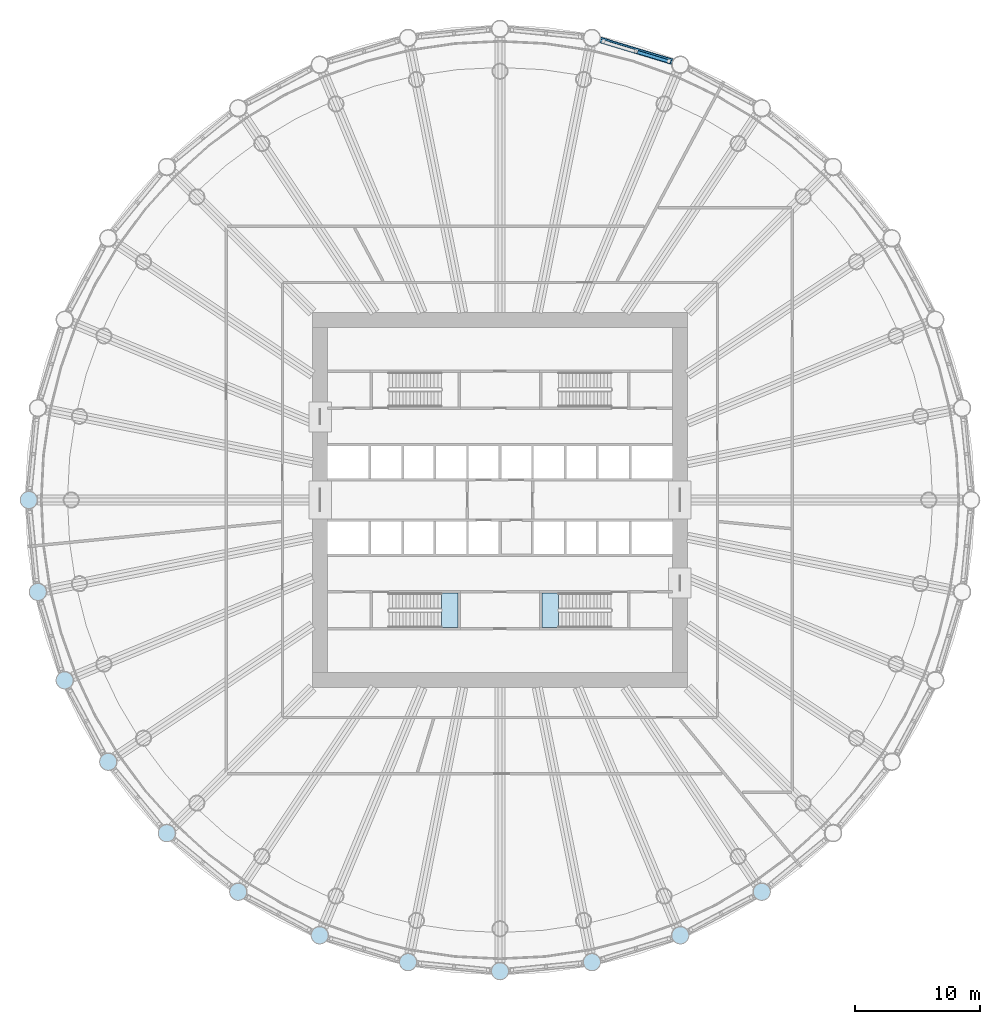
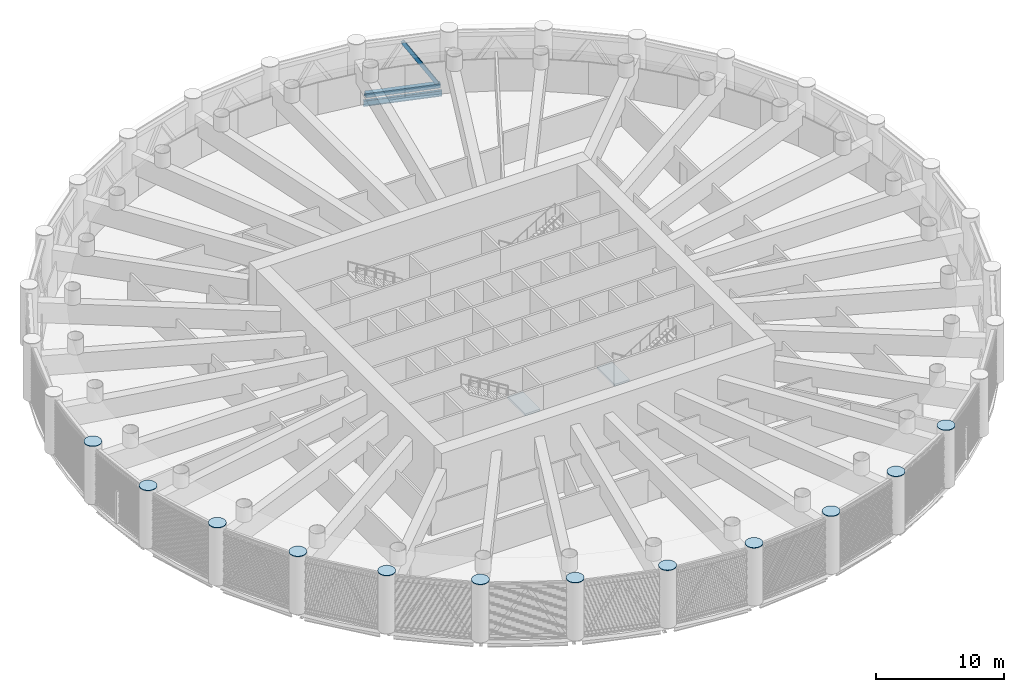
# One storey, part 5 of 26: 12 plates, 3 members, 2 slabs, 1 beam, 3 elements without a shape of their own.
"""IFC4 building model written with IfcOpenShell, lengths in metres."""

import ifcopenshell
import ifcopenshell.guid

model = None  # the IFC model being written
_history = None  # IfcOwnerHistory: only IFC2X3 demands one
_inside = {}  # id of a spatial element -> (the spatial element, [elements in it])
_under = {}  # id of a project, library or spatial element -> (it, [spatial elements below it])
_declared = {}  # id of a project -> (the project, [libraries it declares])
_typed = {}  # id of a type object -> (the type object, [elements of that type])
_made_of = {}  # id of a material, layer set ... -> (it, [elements and type objects made of it])


def new_model(schema):
    """Start an empty IFC model of exactly this schema.

    Asked for "IFC4X3", IfcOpenShell would pick the latest addendum, in which some entities
    have other attributes; the version numbers below select the first issue.
    IFC2X3 requires an IfcOwnerHistory on every rooted entity: one is made here for all.
    """
    global model, _history
    if schema == "IFC4X3":
        model = ifcopenshell.file(schema_version=(4, 3, 0, 0))
    else:
        model = ifcopenshell.file(schema=schema)
    _inside.clear()
    _under.clear()
    _declared.clear()
    _typed.clear()
    _made_of.clear()
    _history = None
    if model.schema == "IFC2X3":
        org = make("IfcOrganization", Name="unknown")
        user = make(
            "IfcPersonAndOrganization",
            ThePerson=make("IfcPerson", FamilyName="unknown"),
            TheOrganization=org,
        )
        app = make(
            "IfcApplication",
            ApplicationDeveloper=org,
            Version="unknown",
            ApplicationFullName="unknown",
            ApplicationIdentifier="unknown",
        )
        _history = make(
            "IfcOwnerHistory",
            OwningUser=user,
            OwningApplication=app,
            ChangeAction="ADDED",
            CreationDate=0,
        )
    return model


def make(cls, **values):
    """One entity of the class cls with the attributes given. An attribute that is None is left unset."""
    return model.create_entity(
        cls, **{name: value for name, value in values.items() if value is not None}
    )


def rooted(cls, **values):
    """An entity with a GlobalId (a new one), such as an element, a storey or a relation."""
    return make(cls, GlobalId=ifcopenshell.guid.new(), OwnerHistory=_history, **values)


def si_unit(unit_type, name, prefix=None):
    """IfcSIUnit, for example si_unit("LENGTHUNIT", "METRE", prefix="MILLI")."""
    return make("IfcSIUnit", UnitType=unit_type, Prefix=prefix, Name=name)


def assignment(units):
    """IfcUnitAssignment: the units of a project."""
    return None if units is None else make("IfcUnitAssignment", Units=units)


def point(xyz):
    """IfcCartesianPoint."""
    return None if xyz is None else make("IfcCartesianPoint", Coordinates=xyz)


def direction(xyz):
    """IfcDirection."""
    return None if xyz is None else make("IfcDirection", DirectionRatios=xyz)


def frame(location, z_axis=None, x_axis=None):
    """IfcAxis2Placement3D, a coordinate frame: its origin and axes. An axis left out is left unset."""
    return make(
        "IfcAxis2Placement3D",
        Location=point(location),
        Axis=direction(z_axis),
        RefDirection=direction(x_axis),
    )


def frame_2d(location, x_axis=None):
    """IfcAxis2Placement2D, a coordinate frame in the plane: its origin and x axis."""
    return make(
        "IfcAxis2Placement2D", Location=point(location), RefDirection=direction(x_axis)
    )


def origin():
    """The frame at (0, 0, 0) with its axes left unset."""
    return frame((0.0, 0.0, 0.0))


def origin_2d():
    """The frame at (0, 0) in the plane with its x axis left unset."""
    return frame_2d((0.0, 0.0))


def place(relative_to, where):
    """IfcLocalPlacement: puts the frame where relative to a parent placement (None: the world)."""
    return make(
        "IfcLocalPlacement", PlacementRelTo=relative_to, RelativePlacement=where
    )


def context(
    kind, dimensions, precision=None, world=None, true_north=None, identifier=None
):
    """IfcGeometricRepresentationContext, for example the 3D "Model" context."""
    return make(
        "IfcGeometricRepresentationContext",
        ContextIdentifier=identifier,
        ContextType=kind,
        CoordinateSpaceDimension=dimensions,
        Precision=precision,
        WorldCoordinateSystem=world,
        TrueNorth=true_north,
    )


def subcontext(parent, identifier, kind, view, scale=None):
    """IfcGeometricRepresentationSubContext, for example "Body" below "Model"."""
    return make(
        "IfcGeometricRepresentationSubContext",
        ContextIdentifier=identifier,
        ContextType=kind,
        ParentContext=parent,
        TargetScale=scale,
        TargetView=view,
    )


def project(units=None, contexts=None):
    """IfcProject with its units and contexts."""
    return rooted(
        "IfcProject",
        Name="project",
        RepresentationContexts=contexts,
        UnitsInContext=assignment(units),
    )


def spatial(cls, under=None, at=None, **own):
    """A site, building, storey or space (cls), placed at a placement, below another one or the project."""
    s = rooted(cls, ObjectPlacement=at, **own)
    if under is not None:
        _under.setdefault(under.id(), (under, []))[1].append(s)
    return s


def polyline(points):
    """IfcPolyline through the points."""
    return make("IfcPolyline", Points=[point(p) for p in points])


def profile(cls, at=None, kind="AREA", **sizes):
    """A parametric profile (cls). Its sizes go by their IFC names, for example OverallWidth=200.0."""
    return make(cls, ProfileType=kind, Position=at, **sizes)


def rectangle(**sizes):
    """IfcRectangleProfileDef."""
    return profile("IfcRectangleProfileDef", **sizes)


def hollow_rectangle(**sizes):
    """IfcRectangleHollowProfileDef."""
    return profile("IfcRectangleHollowProfileDef", **sizes)


def i_section(**sizes):
    """IfcIShapeProfileDef."""
    return profile("IfcIShapeProfileDef", **sizes)


def outline(outer, holes=None, kind="AREA"):
    """IfcArbitraryClosedProfileDef: a profile drawn as a closed curve; with holes, ...WithVoids."""
    if holes is None:
        return make("IfcArbitraryClosedProfileDef", ProfileType=kind, OuterCurve=outer)
    return make(
        "IfcArbitraryProfileDefWithVoids",
        ProfileType=kind,
        OuterCurve=outer,
        InnerCurves=holes,
    )


def extrude(swept, where, along, depth):
    """IfcExtrudedAreaSolid: the profile swept, set in the frame where, extruded along a direction by depth."""
    return make(
        "IfcExtrudedAreaSolid",
        SweptArea=swept,
        Position=where,
        ExtrudedDirection=direction(along),
        Depth=depth,
    )


def shape(context_of_items, identifier, shape_type, items):
    """IfcShapeRepresentation: the items that make up one representation, for example the "Body"."""
    return make(
        "IfcShapeRepresentation",
        ContextOfItems=context_of_items,
        RepresentationIdentifier=identifier,
        RepresentationType=shape_type,
        Items=items,
    )


def material(Name=None, Category=None):
    """IfcMaterial."""
    return make("IfcMaterial", Name=Name, Category=Category)


def layer(
    of_material, thickness, ventilated=None, Name=None, Category=None, Priority=None
):
    """IfcMaterialLayer: one layer of a wall or slab, of a material (None: an air gap)."""
    return make(
        "IfcMaterialLayer",
        Material=of_material,
        LayerThickness=thickness,
        IsVentilated=ventilated,
        Name=Name,
        Category=Category,
        Priority=Priority,
    )


def layer_set(layers, Name=None):
    """IfcMaterialLayerSet."""
    return make("IfcMaterialLayerSet", MaterialLayers=layers, LayerSetName=Name)


def material_profile(
    of_material, cross_section, Name=None, Category=None, Priority=None
):
    """IfcMaterialProfile: a cross section and its material."""
    return make(
        "IfcMaterialProfile",
        Name=Name,
        Material=of_material,
        Profile=cross_section,
        Priority=Priority,
        Category=Category,
    )


def profile_set(profiles, Name=None, composite=None):
    """IfcMaterialProfileSet."""
    return make(
        "IfcMaterialProfileSet",
        Name=Name,
        MaterialProfiles=profiles,
        CompositeProfile=composite,
    )


def made_of(thing, what):
    """Note that an element or type object is made of a material, layer set ...; save() writes the relation."""
    if what is not None:
        _made_of.setdefault(what.id(), (what, []))[1].append(thing)
    return thing


def type_object(cls, material=None, **own):
    """A type object (cls), such as IfcWallType, which elements share."""
    return made_of(rooted(cls, **own), material)


def element(
    cls,
    number,
    at=None,
    inside=None,
    cuts=None,
    type_object=None,
    material=None,
    context=None,
    identifier="Body",
    shape_type=None,
    held_by="IfcProductDefinitionShape",
    body=None,
    shapes=None,
    **own,
):
    """One element of the class cls, such as IfcWall. Its Tag is "e" and its number.

    at: its placement. inside: the storey or other place that contains it. cuts: it is an
    opening in that element (IfcRelVoidsElement). A single representation is given by context,
    identifier, shape_type and body (its items); several are given by shapes. held_by: the class
    of the entity that holds the representations. save() writes the other relations.
    """
    e = rooted(cls, Tag="e%d" % number, ObjectPlacement=at, **own)
    if body is not None:
        shapes = [shape(context, identifier, shape_type, body)]
    if shapes is not None:
        e.Representation = make(held_by, Representations=shapes)
    if inside is not None:
        _inside.setdefault(inside.id(), (inside, []))[1].append(e)
    if cuts is not None:
        rooted(
            "IfcRelVoidsElement", RelatingBuildingElement=cuts, RelatedOpeningElement=e
        )
    if type_object is not None:
        _typed.setdefault(type_object.id(), (type_object, []))[1].append(e)
    return made_of(e, material)


def aggregate(whole, parts):
    """IfcRelAggregates: a whole, such as a stair, and the parts it consists of."""
    return rooted("IfcRelAggregates", RelatingObject=whole, RelatedObjects=parts)


def save(model, path):
    """Write the relations noted so far, then the file.

    IfcRelAggregates (storeys below a building ...), IfcRelContainedInSpatialStructure (elements
    in a storey), IfcRelDefinesByType, IfcRelAssociatesMaterial and IfcRelDeclares: one each for
    every whole, place, type object, material and project.
    """
    for whole, parts in _under.values():
        aggregate(whole, parts)
    for where, things in _inside.values():
        rooted(
            "IfcRelContainedInSpatialStructure",
            RelatedElements=things,
            RelatingStructure=where,
        )
    for kind, things in _typed.values():
        rooted("IfcRelDefinesByType", RelatedObjects=things, RelatingType=kind)
    for what, things in _made_of.values():
        rooted("IfcRelAssociatesMaterial", RelatedObjects=things, RelatingMaterial=what)
    for by, libraries in _declared.values():
        rooted("IfcRelDeclares", RelatingContext=by, RelatedDefinitions=libraries)
    model.write(path)


model = new_model("IFC4")

# Units and contexts
model_context = context("Model", 3, precision=1e-05, world=origin(), true_north=direction((0.0, 1.0)))
body_context = subcontext(model_context, "Body", "Model", "MODEL_VIEW")
ifc_project = project(units=[si_unit("LENGTHUNIT", "METRE"), si_unit("AREAUNIT", "SQUARE_METRE"), si_unit("VOLUMEUNIT", "CUBIC_METRE"), si_unit("PLANEANGLEUNIT", "RADIAN"), si_unit("MASSUNIT", "GRAM", prefix="KILO")], contexts=[model_context])

# Site, building, storey
site_placement = place(None, origin())
site = spatial("IfcSite", under=ifc_project, at=site_placement, CompositionType="ELEMENT")
building_placement = place(site_placement, origin())
building = spatial("IfcBuilding", under=site, at=building_placement, Name="Corvane Civic Tower", CompositionType="ELEMENT")
storey_placement = place(building_placement, frame((0.0, 0.0, 85.0)))
storey = spatial("IfcBuildingStorey", under=building, at=storey_placement, Name="L19", CompositionType="ELEMENT", Elevation=85.0)

# Members
ifc_material_1 = material(Name="Steel ASTM A500 Gr C", Category="steel")
ifc_material_profile_1 = material_profile(ifc_material_1, hollow_rectangle(XDim=0.406494140625, YDim=0.406494140625, WallThickness=0.0146484375, at=origin_2d()), Name="HSS16X16X5/8")
ifc_profile_set_1 = profile_set([ifc_material_profile_1], Name="Steel ASTM A500 Gr C")
member_type_1 = type_object("IfcMemberType", Name="BELT CHORD HSS16X16X5/8", PredefinedType="CHORD", material=ifc_profile_set_1)
member_1_placement = place(storey_placement, frame((8.02490234375, 36.7724609375, 0.203125), z_axis=(0.956935582172, -0.290300347181, 0.0), x_axis=(0.290300347181, 0.956935582172, 0.0)))
element("IfcMember", 1, at=member_1_placement, inside=storey, type_object=member_type_1, Name="Belt truss BT-L19", PredefinedType="CHORD", context=body_context, shape_type="SweptSolid", body=[
    extrude(hollow_rectangle(XDim=0.406494140625, YDim=0.406494140625, WallThickness=0.0146484375, at=origin_2d()), origin(), (0.0, 0.0, 1.0), 5.990478515625),
])
ifc_material_2 = material(Name="Steel ASTM A500 Gr C", Category="steel")
ifc_material_profile_2 = material_profile(ifc_material_2, hollow_rectangle(XDim=0.3046875, YDim=0.3046875, WallThickness=0.01171875, at=origin_2d()), Name="HSS12X12X1/2")
ifc_profile_set_2 = profile_set([ifc_material_profile_2], Name="Steel ASTM A500 Gr C")
member_type_2 = type_object("IfcMemberType", Name="BELT DIAGONAL HSS12X12X1/2", PredefinedType="BRACE", material=ifc_profile_set_2)
member_2_placement = place(storey_placement, frame((13.51806640625, 35.106201171875, 0.406494140625), z_axis=(-0.511789432368, 0.155201572288, 0.844975768218), x_axis=(-0.290202393071, -0.956965292503, 0.0)))
element("IfcMember", 2, at=member_2_placement, inside=storey, type_object=member_type_2, Name="Belt truss BT-L19", PredefinedType="BRACE", context=body_context, shape_type="SweptSolid", body=[
    extrude(hollow_rectangle(XDim=0.3046875, YDim=0.3046875, WallThickness=0.01171875, at=origin_2d()), origin(), (0.0, 0.0, 1.0), 5.1328125),
])

# Beam
ifc_material_3 = material(Name="Steel ASTM A992 Gr 50", Category="steel")
ifc_material_profile_3 = material_profile(ifc_material_3, i_section(OverallWidth=0.209228515625, OverallDepth=0.533447265625, WebThickness=0.01025390625, FlangeThickness=0.015625, at=origin_2d()), Name="W21X62")
ifc_profile_set_3 = profile_set([ifc_material_profile_3], Name="Steel ASTM A992 Gr 50")
beam_type = type_object("IfcBeamType", Name="EDGE BEAM W21X62", PredefinedType="BEAM", material=ifc_profile_set_3)
beam_placement = place(storey_placement, frame((7.88134765625, 36.81591796875, -0.61669921875), z_axis=(0.956943740748, -0.290273452184, 0.0), x_axis=(0.290273452184, 0.956943740748, 0.0)))
element("IfcBeam", 3, at=beam_placement, inside=storey, type_object=beam_type, Name="BM-L19-E02", PredefinedType="BEAM", context=body_context, shape_type="SweptSolid", body=[
    extrude(i_section(OverallWidth=0.209228515625, OverallDepth=0.533447265625, WebThickness=0.01025390625, FlangeThickness=0.015625, at=origin_2d()), origin(), (0.0, 0.0, 1.0), 6.290283203125),
])

# Curtain wall, member
ifc_material_4 = material(Name="Anodised aluminium bronze", Category="aluminium")
curtain_wall_type = type_object("IfcCurtainWallType", Name="TOWER CW-LV LOUVRE SCREEN WALL", PredefinedType="NOTDEFINED", material=ifc_material_4)
curtain_wall_placement = place(storey_placement, origin())
curtain_wall = element("IfcCurtainWall", 4, at=curtain_wall_placement, inside=storey, type_object=curtain_wall_type, Name="Louvre screen wall CW-LV L19 bay 02", PredefinedType="NOTDEFINED")
ifc_material_5 = material(Name="Anodised aluminium bronze", Category="aluminium")
ifc_material_profile_4 = material_profile(ifc_material_5, rectangle(XDim=0.139892578125, YDim=0.1201171875, at=origin_2d()), Name="TOWER CW-LV TRANSOM 140x120")
ifc_profile_set_4 = profile_set([ifc_material_profile_4], Name="Anodised aluminium bronze")
member_type_3 = type_object("IfcMemberType", Name="TOWER CW-LV TRANSOM 140x120", PredefinedType="USERDEFINED", material=ifc_profile_set_4)
member_3_placement = place(storey_placement, frame((8.02587890625, 36.959228515625, 0.06005859375), z_axis=(0.956944551866, -0.29027077816, 0.0), x_axis=(0.29027077816, 0.956944551866, 0.0)))
member_3 = element("IfcMember", 5, at=member_3_placement, type_object=member_type_3, Name="Transom CW-LV L19 02.1", ObjectType="TRANSOM", PredefinedType="USERDEFINED", context=body_context, shape_type="SweptSolid", body=[
    extrude(rectangle(XDim=0.139892578125, YDim=0.1201171875, at=origin_2d()), origin(), (0.0, 0.0, 1.0), 6.096923828125),
])
aggregate(curtain_wall, [member_3])

# Plates
ifc_material_6 = material(Name="Steel ASTM A572 Gr 50", Category="steel")
ifc_layer_1 = layer(ifc_material_6, 0.054931640625)
ifc_layer_set_1 = layer_set([ifc_layer_1], Name="Steel ASTM A572 Gr 50")
plate_type = type_object("IfcPlateType", Name="COLUMN CAP PLATE 55", PredefinedType="SHEET", material=ifc_layer_set_1)
plate_1_placement = place(storey_placement, frame((0.0, 0.0, 5.5)))
element("IfcPlate", 6, at=plate_1_placement, inside=storey, type_object=plate_type, Name="PL-L19-cap-A14", PredefinedType="SHEET", context=body_context, shape_type="SweptSolid", body=[
    extrude(outline(polyline([(21.64501953125, -31.346435546875), (21.63916015625, -31.255126953125), (21.62109375, -31.165283203125), (21.591796875, -31.07861328125), (21.55126953125, -30.996337890625), (21.50048828125, -30.92041015625), (21.43994140625, -30.8515625), (21.37109375, -30.791015625), (21.295166015625, -30.740234375), (21.212890625, -30.69970703125), (21.126220703125, -30.67041015625), (21.036376953125, -30.65234375), (20.945068359375, -30.646484375), (20.853759765625, -30.65234375), (20.763916015625, -30.67041015625), (20.67724609375, -30.69970703125), (20.59521484375, -30.740234375), (20.518798828125, -30.791015625), (20.4501953125, -30.8515625), (20.3896484375, -30.92041015625), (20.3388671875, -30.996337890625), (20.29833984375, -31.07861328125), (20.268798828125, -31.165283203125), (20.251220703125, -31.255126953125), (20.2451171875, -31.346435546875), (20.251220703125, -31.437744140625), (20.268798828125, -31.527587890625), (20.29833984375, -31.6142578125), (20.3388671875, -31.6962890625), (20.3896484375, -31.772705078125), (20.4501953125, -31.84130859375), (20.518798828125, -31.90185546875), (20.59521484375, -31.95263671875), (20.67724609375, -31.9931640625), (20.763916015625, -32.022705078125), (20.853759765625, -32.040283203125), (20.945068359375, -32.04638671875), (21.036376953125, -32.040283203125), (21.126220703125, -32.022705078125), (21.212890625, -31.9931640625), (21.295166015625, -31.95263671875), (21.37109375, -31.90185546875), (21.43994140625, -31.84130859375), (21.50048828125, -31.772705078125), (21.55126953125, -31.6962890625), (21.591796875, -31.6142578125), (21.62109375, -31.527587890625), (21.63916015625, -31.437744140625), (21.64501953125, -31.346435546875)])), origin(), (0.0, 0.0, 1.0), 0.054931640625),
])
plate_2_placement = place(storey_placement, frame((0.0, 0.0, 5.5)))
element("IfcPlate", 7, at=plate_2_placement, inside=storey, type_object=plate_type, Name="PL-L19-cap-A15", PredefinedType="SHEET", context=body_context, shape_type="SweptSolid", body=[
    extrude(outline(polyline([(15.127197265625, -34.830322265625), (15.121337890625, -34.739013671875), (15.103515625, -34.649169921875), (15.073974609375, -34.5625), (15.033447265625, -34.480224609375), (14.982666015625, -34.404296875), (14.922119140625, -34.335205078125), (14.853515625, -34.27490234375), (14.777099609375, -34.22412109375), (14.695068359375, -34.18359375), (14.6083984375, -34.154296875), (14.5185546875, -34.13623046875), (14.42724609375, -34.13037109375), (14.3359375, -34.13623046875), (14.24609375, -34.154296875), (14.159423828125, -34.18359375), (14.0771484375, -34.22412109375), (14.001220703125, -34.27490234375), (13.932373046875, -34.335205078125), (13.871826171875, -34.404296875), (13.821044921875, -34.480224609375), (13.780517578125, -34.5625), (13.751220703125, -34.649169921875), (13.733154296875, -34.739013671875), (13.727294921875, -34.830322265625), (13.733154296875, -34.921630859375), (13.751220703125, -35.011474609375), (13.780517578125, -35.09814453125), (13.821044921875, -35.180419921875), (13.871826171875, -35.256591796875), (13.932373046875, -35.3251953125), (14.001220703125, -35.3857421875), (14.0771484375, -35.4365234375), (14.159423828125, -35.47705078125), (14.24609375, -35.506591796875), (14.3359375, -35.5244140625), (14.42724609375, -35.5302734375), (14.5185546875, -35.5244140625), (14.6083984375, -35.506591796875), (14.695068359375, -35.47705078125), (14.777099609375, -35.4365234375), (14.853515625, -35.3857421875), (14.922119140625, -35.3251953125), (14.982666015625, -35.256591796875), (15.033447265625, -35.180419921875), (15.073974609375, -35.09814453125), (15.103515625, -35.011474609375), (15.121337890625, -34.921630859375), (15.127197265625, -34.830322265625)])), origin(), (0.0, 0.0, 1.0), 0.054931640625),
])
plate_3_placement = place(storey_placement, frame((0.0, 0.0, 5.5)))
element("IfcPlate", 8, at=plate_3_placement, inside=storey, type_object=plate_type, Name="PL-L19-cap-A16", PredefinedType="SHEET", context=body_context, shape_type="SweptSolid", body=[
    extrude(outline(polyline([(8.054931640625, -36.9755859375), (8.049072265625, -36.88427734375), (8.031005859375, -36.79443359375), (8.001708984375, -36.707763671875), (7.961181640625, -36.62548828125), (7.910400390625, -36.549560546875), (7.85009765625, -36.480712890625), (7.781005859375, -36.420166015625), (7.705078125, -36.369384765625), (7.622802734375, -36.328857421875), (7.5361328125, -36.29931640625), (7.4462890625, -36.281494140625), (7.35498046875, -36.275634765625), (7.263671875, -36.281494140625), (7.173828125, -36.29931640625), (7.087158203125, -36.328857421875), (7.0048828125, -36.369384765625), (6.9287109375, -36.420166015625), (6.860107421875, -36.480712890625), (6.799560546875, -36.549560546875), (6.748779296875, -36.62548828125), (6.708251953125, -36.707763671875), (6.6787109375, -36.79443359375), (6.660888671875, -36.88427734375), (6.655029296875, -36.9755859375), (6.660888671875, -37.06689453125), (6.6787109375, -37.15673828125), (6.708251953125, -37.243408203125), (6.748779296875, -37.32568359375), (6.799560546875, -37.401611328125), (6.860107421875, -37.470703125), (6.9287109375, -37.531005859375), (7.0048828125, -37.581787109375), (7.087158203125, -37.622314453125), (7.173828125, -37.651611328125), (7.263671875, -37.669677734375), (7.35498046875, -37.675537109375), (7.4462890625, -37.669677734375), (7.5361328125, -37.651611328125), (7.622802734375, -37.622314453125), (7.705078125, -37.581787109375), (7.781005859375, -37.531005859375), (7.85009765625, -37.470703125), (7.910400390625, -37.401611328125), (7.961181640625, -37.32568359375), (8.001708984375, -37.243408203125), (8.031005859375, -37.15673828125), (8.049072265625, -37.06689453125), (8.054931640625, -36.9755859375)])), origin(), (0.0, 0.0, 1.0), 0.054931640625),
])
plate_4_placement = place(storey_placement, frame((0.0, 0.0, 5.5)))
element("IfcPlate", 9, at=plate_4_placement, inside=storey, type_object=plate_type, Name="PL-L19-cap-A17", PredefinedType="SHEET", context=body_context, shape_type="SweptSolid", body=[
    extrude(outline(polyline([(0.699951171875, -37.699951171875), (0.694091796875, -37.608642578125), (0.676025390625, -37.518798828125), (0.646728515625, -37.43212890625), (0.606201171875, -37.35009765625), (0.555419921875, -37.273681640625), (0.4951171875, -37.205078125), (0.426025390625, -37.14453125), (0.35009765625, -37.09375), (0.267822265625, -37.05322265625), (0.18115234375, -37.023681640625), (0.09130859375, -37.005859375), (0.0, -37.0), (-0.09130859375, -37.005859375), (-0.18115234375, -37.023681640625), (-0.267822265625, -37.05322265625), (-0.35009765625, -37.09375), (-0.426025390625, -37.14453125), (-0.4951171875, -37.205078125), (-0.555419921875, -37.273681640625), (-0.606201171875, -37.35009765625), (-0.646728515625, -37.43212890625), (-0.676025390625, -37.518798828125), (-0.694091796875, -37.608642578125), (-0.699951171875, -37.699951171875), (-0.694091796875, -37.791259765625), (-0.676025390625, -37.881103515625), (-0.646728515625, -37.9677734375), (-0.606201171875, -38.050048828125), (-0.555419921875, -38.126220703125), (-0.4951171875, -38.19482421875), (-0.426025390625, -38.25537109375), (-0.35009765625, -38.30615234375), (-0.267822265625, -38.3466796875), (-0.18115234375, -38.376220703125), (-0.09130859375, -38.39404296875), (0.0, -38.39990234375), (0.09130859375, -38.39404296875), (0.18115234375, -38.376220703125), (0.267822265625, -38.3466796875), (0.35009765625, -38.30615234375), (0.426025390625, -38.25537109375), (0.4951171875, -38.19482421875), (0.555419921875, -38.126220703125), (0.606201171875, -38.050048828125), (0.646728515625, -37.9677734375), (0.676025390625, -37.881103515625), (0.694091796875, -37.791259765625), (0.699951171875, -37.699951171875)])), origin(), (0.0, 0.0, 1.0), 0.054931640625),
])
plate_5_placement = place(storey_placement, frame((0.0, 0.0, 5.5)))
element("IfcPlate", 10, at=plate_5_placement, inside=storey, type_object=plate_type, Name="PL-L19-cap-A18", PredefinedType="SHEET", context=body_context, shape_type="SweptSolid", body=[
    extrude(outline(polyline([(-6.655029296875, -36.9755859375), (-6.660888671875, -36.88427734375), (-6.6787109375, -36.79443359375), (-6.708251953125, -36.707763671875), (-6.748779296875, -36.62548828125), (-6.799560546875, -36.549560546875), (-6.860107421875, -36.480712890625), (-6.9287109375, -36.420166015625), (-7.0048828125, -36.369384765625), (-7.087158203125, -36.328857421875), (-7.173828125, -36.29931640625), (-7.263671875, -36.281494140625), (-7.35498046875, -36.275634765625), (-7.4462890625, -36.281494140625), (-7.5361328125, -36.29931640625), (-7.622802734375, -36.328857421875), (-7.705078125, -36.369384765625), (-7.781005859375, -36.420166015625), (-7.85009765625, -36.480712890625), (-7.910400390625, -36.549560546875), (-7.961181640625, -36.62548828125), (-8.001708984375, -36.707763671875), (-8.031005859375, -36.79443359375), (-8.049072265625, -36.88427734375), (-8.054931640625, -36.9755859375), (-8.049072265625, -37.06689453125), (-8.031005859375, -37.15673828125), (-8.001708984375, -37.243408203125), (-7.961181640625, -37.32568359375), (-7.910400390625, -37.401611328125), (-7.85009765625, -37.470703125), (-7.781005859375, -37.531005859375), (-7.705078125, -37.581787109375), (-7.622802734375, -37.622314453125), (-7.5361328125, -37.651611328125), (-7.4462890625, -37.669677734375), (-7.35498046875, -37.675537109375), (-7.263671875, -37.669677734375), (-7.173828125, -37.651611328125), (-7.087158203125, -37.622314453125), (-7.0048828125, -37.581787109375), (-6.9287109375, -37.531005859375), (-6.860107421875, -37.470703125), (-6.799560546875, -37.401611328125), (-6.748779296875, -37.32568359375), (-6.708251953125, -37.243408203125), (-6.6787109375, -37.15673828125), (-6.660888671875, -37.06689453125), (-6.655029296875, -36.9755859375)])), origin(), (0.0, 0.0, 1.0), 0.054931640625),
])
plate_6_placement = place(storey_placement, frame((0.0, 0.0, 5.5)))
element("IfcPlate", 11, at=plate_6_placement, inside=storey, type_object=plate_type, Name="PL-L19-cap-A19", PredefinedType="SHEET", context=body_context, shape_type="SweptSolid", body=[
    extrude(outline(polyline([(-13.727294921875, -34.830322265625), (-13.733154296875, -34.739013671875), (-13.751220703125, -34.649169921875), (-13.780517578125, -34.5625), (-13.821044921875, -34.480224609375), (-13.871826171875, -34.404296875), (-13.932373046875, -34.335205078125), (-14.001220703125, -34.27490234375), (-14.0771484375, -34.22412109375), (-14.159423828125, -34.18359375), (-14.24609375, -34.154296875), (-14.3359375, -34.13623046875), (-14.42724609375, -34.13037109375), (-14.5185546875, -34.13623046875), (-14.6083984375, -34.154296875), (-14.695068359375, -34.18359375), (-14.777099609375, -34.22412109375), (-14.853515625, -34.27490234375), (-14.922119140625, -34.335205078125), (-14.982666015625, -34.404296875), (-15.033447265625, -34.480224609375), (-15.073974609375, -34.5625), (-15.103515625, -34.649169921875), (-15.121337890625, -34.739013671875), (-15.127197265625, -34.830322265625), (-15.121337890625, -34.921630859375), (-15.103515625, -35.011474609375), (-15.073974609375, -35.09814453125), (-15.033447265625, -35.180419921875), (-14.982666015625, -35.256591796875), (-14.922119140625, -35.3251953125), (-14.853515625, -35.3857421875), (-14.777099609375, -35.4365234375), (-14.695068359375, -35.47705078125), (-14.6083984375, -35.506591796875), (-14.5185546875, -35.5244140625), (-14.42724609375, -35.5302734375), (-14.3359375, -35.5244140625), (-14.24609375, -35.506591796875), (-14.159423828125, -35.47705078125), (-14.0771484375, -35.4365234375), (-14.001220703125, -35.3857421875), (-13.932373046875, -35.3251953125), (-13.871826171875, -35.256591796875), (-13.821044921875, -35.180419921875), (-13.780517578125, -35.09814453125), (-13.751220703125, -35.011474609375), (-13.733154296875, -34.921630859375), (-13.727294921875, -34.830322265625)])), origin(), (0.0, 0.0, 1.0), 0.054931640625),
])
plate_7_placement = place(storey_placement, frame((0.0, 0.0, 5.5)))
element("IfcPlate", 12, at=plate_7_placement, inside=storey, type_object=plate_type, Name="PL-L19-cap-A20", PredefinedType="SHEET", context=body_context, shape_type="SweptSolid", body=[
    extrude(outline(polyline([(-20.2451171875, -31.346435546875), (-20.251220703125, -31.255126953125), (-20.268798828125, -31.165283203125), (-20.29833984375, -31.07861328125), (-20.3388671875, -30.996337890625), (-20.3896484375, -30.92041015625), (-20.4501953125, -30.8515625), (-20.518798828125, -30.791015625), (-20.59521484375, -30.740234375), (-20.67724609375, -30.69970703125), (-20.763916015625, -30.67041015625), (-20.853759765625, -30.65234375), (-20.945068359375, -30.646484375), (-21.036376953125, -30.65234375), (-21.126220703125, -30.67041015625), (-21.212890625, -30.69970703125), (-21.295166015625, -30.740234375), (-21.37109375, -30.791015625), (-21.43994140625, -30.8515625), (-21.50048828125, -30.92041015625), (-21.55126953125, -30.996337890625), (-21.591796875, -31.07861328125), (-21.62109375, -31.165283203125), (-21.63916015625, -31.255126953125), (-21.64501953125, -31.346435546875), (-21.63916015625, -31.437744140625), (-21.62109375, -31.527587890625), (-21.591796875, -31.6142578125), (-21.55126953125, -31.6962890625), (-21.50048828125, -31.772705078125), (-21.43994140625, -31.84130859375), (-21.37109375, -31.90185546875), (-21.295166015625, -31.95263671875), (-21.212890625, -31.9931640625), (-21.126220703125, -32.022705078125), (-21.036376953125, -32.040283203125), (-20.945068359375, -32.04638671875), (-20.853759765625, -32.040283203125), (-20.763916015625, -32.022705078125), (-20.67724609375, -31.9931640625), (-20.59521484375, -31.95263671875), (-20.518798828125, -31.90185546875), (-20.4501953125, -31.84130859375), (-20.3896484375, -31.772705078125), (-20.3388671875, -31.6962890625), (-20.29833984375, -31.6142578125), (-20.268798828125, -31.527587890625), (-20.251220703125, -31.437744140625), (-20.2451171875, -31.346435546875)])), origin(), (0.0, 0.0, 1.0), 0.054931640625),
])
plate_8_placement = place(storey_placement, frame((0.0, 0.0, 5.5)))
element("IfcPlate", 13, at=plate_8_placement, inside=storey, type_object=plate_type, Name="PL-L19-cap-A21", PredefinedType="SHEET", context=body_context, shape_type="SweptSolid", body=[
    extrude(outline(polyline([(-25.9580078125, -26.657958984375), (-25.9638671875, -26.566650390625), (-25.981689453125, -26.476806640625), (-26.01123046875, -26.39013671875), (-26.0517578125, -26.30810546875), (-26.1025390625, -26.231689453125), (-26.1630859375, -26.1630859375), (-26.231689453125, -26.1025390625), (-26.30810546875, -26.0517578125), (-26.39013671875, -26.01123046875), (-26.476806640625, -25.981689453125), (-26.566650390625, -25.9638671875), (-26.657958984375, -25.9580078125), (-26.749267578125, -25.9638671875), (-26.839111328125, -25.981689453125), (-26.92578125, -26.01123046875), (-27.008056640625, -26.0517578125), (-27.083984375, -26.1025390625), (-27.15283203125, -26.1630859375), (-27.21337890625, -26.231689453125), (-27.26416015625, -26.30810546875), (-27.3046875, -26.39013671875), (-27.333984375, -26.476806640625), (-27.35205078125, -26.566650390625), (-27.35791015625, -26.657958984375), (-27.35205078125, -26.749267578125), (-27.333984375, -26.839111328125), (-27.3046875, -26.92578125), (-27.26416015625, -27.008056640625), (-27.21337890625, -27.083984375), (-27.15283203125, -27.15283203125), (-27.083984375, -27.21337890625), (-27.008056640625, -27.26416015625), (-26.92578125, -27.3046875), (-26.839111328125, -27.333984375), (-26.749267578125, -27.35205078125), (-26.657958984375, -27.35791015625), (-26.566650390625, -27.35205078125), (-26.476806640625, -27.333984375), (-26.39013671875, -27.3046875), (-26.30810546875, -27.26416015625), (-26.231689453125, -27.21337890625), (-26.1630859375, -27.15283203125), (-26.1025390625, -27.083984375), (-26.0517578125, -27.008056640625), (-26.01123046875, -26.92578125), (-25.981689453125, -26.839111328125), (-25.9638671875, -26.749267578125), (-25.9580078125, -26.657958984375)])), origin(), (0.0, 0.0, 1.0), 0.054931640625),
])
plate_9_placement = place(storey_placement, frame((0.0, 0.0, 5.5)))
element("IfcPlate", 14, at=plate_9_placement, inside=storey, type_object=plate_type, Name="PL-L19-cap-A22", PredefinedType="SHEET", context=body_context, shape_type="SweptSolid", body=[
    extrude(outline(polyline([(-30.646484375, -20.945068359375), (-30.65234375, -20.853759765625), (-30.67041015625, -20.763916015625), (-30.69970703125, -20.67724609375), (-30.740234375, -20.59521484375), (-30.791015625, -20.518798828125), (-30.8515625, -20.4501953125), (-30.92041015625, -20.3896484375), (-30.996337890625, -20.3388671875), (-31.07861328125, -20.29833984375), (-31.165283203125, -20.268798828125), (-31.255126953125, -20.251220703125), (-31.346435546875, -20.2451171875), (-31.437744140625, -20.251220703125), (-31.527587890625, -20.268798828125), (-31.6142578125, -20.29833984375), (-31.6962890625, -20.3388671875), (-31.772705078125, -20.3896484375), (-31.84130859375, -20.4501953125), (-31.90185546875, -20.518798828125), (-31.95263671875, -20.59521484375), (-31.9931640625, -20.67724609375), (-32.022705078125, -20.763916015625), (-32.040283203125, -20.853759765625), (-32.04638671875, -20.945068359375), (-32.040283203125, -21.036376953125), (-32.022705078125, -21.126220703125), (-31.9931640625, -21.212890625), (-31.95263671875, -21.295166015625), (-31.90185546875, -21.37109375), (-31.84130859375, -21.43994140625), (-31.772705078125, -21.50048828125), (-31.6962890625, -21.55126953125), (-31.6142578125, -21.591796875), (-31.527587890625, -21.62109375), (-31.437744140625, -21.63916015625), (-31.346435546875, -21.64501953125), (-31.255126953125, -21.63916015625), (-31.165283203125, -21.62109375), (-31.07861328125, -21.591796875), (-30.996337890625, -21.55126953125), (-30.92041015625, -21.50048828125), (-30.8515625, -21.43994140625), (-30.791015625, -21.37109375), (-30.740234375, -21.295166015625), (-30.69970703125, -21.212890625), (-30.67041015625, -21.126220703125), (-30.65234375, -21.036376953125), (-30.646484375, -20.945068359375)])), origin(), (0.0, 0.0, 1.0), 0.054931640625),
])
plate_10_placement = place(storey_placement, frame((0.0, 0.0, 5.5)))
element("IfcPlate", 15, at=plate_10_placement, inside=storey, type_object=plate_type, Name="PL-L19-cap-A23", PredefinedType="SHEET", context=body_context, shape_type="SweptSolid", body=[
    extrude(outline(polyline([(-34.13037109375, -14.42724609375), (-34.13623046875, -14.3359375), (-34.154296875, -14.24609375), (-34.18359375, -14.159423828125), (-34.22412109375, -14.0771484375), (-34.27490234375, -14.001220703125), (-34.335205078125, -13.932373046875), (-34.404296875, -13.871826171875), (-34.480224609375, -13.821044921875), (-34.5625, -13.780517578125), (-34.649169921875, -13.751220703125), (-34.739013671875, -13.733154296875), (-34.830322265625, -13.727294921875), (-34.921630859375, -13.733154296875), (-35.011474609375, -13.751220703125), (-35.09814453125, -13.780517578125), (-35.180419921875, -13.821044921875), (-35.256591796875, -13.871826171875), (-35.3251953125, -13.932373046875), (-35.3857421875, -14.001220703125), (-35.4365234375, -14.0771484375), (-35.47705078125, -14.159423828125), (-35.506591796875, -14.24609375), (-35.5244140625, -14.3359375), (-35.5302734375, -14.42724609375), (-35.5244140625, -14.5185546875), (-35.506591796875, -14.6083984375), (-35.47705078125, -14.695068359375), (-35.4365234375, -14.777099609375), (-35.3857421875, -14.853515625), (-35.3251953125, -14.922119140625), (-35.256591796875, -14.982666015625), (-35.180419921875, -15.033447265625), (-35.09814453125, -15.073974609375), (-35.011474609375, -15.103515625), (-34.921630859375, -15.121337890625), (-34.830322265625, -15.127197265625), (-34.739013671875, -15.121337890625), (-34.649169921875, -15.103515625), (-34.5625, -15.073974609375), (-34.480224609375, -15.033447265625), (-34.404296875, -14.982666015625), (-34.335205078125, -14.922119140625), (-34.27490234375, -14.853515625), (-34.22412109375, -14.777099609375), (-34.18359375, -14.695068359375), (-34.154296875, -14.6083984375), (-34.13623046875, -14.5185546875), (-34.13037109375, -14.42724609375)])), origin(), (0.0, 0.0, 1.0), 0.054931640625),
])
plate_11_placement = place(storey_placement, frame((0.0, 0.0, 5.5)))
element("IfcPlate", 16, at=plate_11_placement, inside=storey, type_object=plate_type, Name="PL-L19-cap-A24", PredefinedType="SHEET", context=body_context, shape_type="SweptSolid", body=[
    extrude(outline(polyline([(-36.275634765625, -7.35498046875), (-36.281494140625, -7.263671875), (-36.29931640625, -7.173828125), (-36.328857421875, -7.087158203125), (-36.369384765625, -7.0048828125), (-36.420166015625, -6.9287109375), (-36.480712890625, -6.860107421875), (-36.549560546875, -6.799560546875), (-36.62548828125, -6.748779296875), (-36.707763671875, -6.708251953125), (-36.79443359375, -6.6787109375), (-36.88427734375, -6.660888671875), (-36.9755859375, -6.655029296875), (-37.06689453125, -6.660888671875), (-37.15673828125, -6.6787109375), (-37.243408203125, -6.708251953125), (-37.32568359375, -6.748779296875), (-37.401611328125, -6.799560546875), (-37.470703125, -6.860107421875), (-37.531005859375, -6.9287109375), (-37.581787109375, -7.0048828125), (-37.622314453125, -7.087158203125), (-37.651611328125, -7.173828125), (-37.669677734375, -7.263671875), (-37.675537109375, -7.35498046875), (-37.669677734375, -7.4462890625), (-37.651611328125, -7.5361328125), (-37.622314453125, -7.622802734375), (-37.581787109375, -7.705078125), (-37.531005859375, -7.781005859375), (-37.470703125, -7.85009765625), (-37.401611328125, -7.910400390625), (-37.32568359375, -7.961181640625), (-37.243408203125, -8.001708984375), (-37.15673828125, -8.031005859375), (-37.06689453125, -8.049072265625), (-36.9755859375, -8.054931640625), (-36.88427734375, -8.049072265625), (-36.79443359375, -8.031005859375), (-36.707763671875, -8.001708984375), (-36.62548828125, -7.961181640625), (-36.549560546875, -7.910400390625), (-36.480712890625, -7.85009765625), (-36.420166015625, -7.781005859375), (-36.369384765625, -7.705078125), (-36.328857421875, -7.622802734375), (-36.29931640625, -7.5361328125), (-36.281494140625, -7.4462890625), (-36.275634765625, -7.35498046875)])), origin(), (0.0, 0.0, 1.0), 0.054931640625),
])
plate_12_placement = place(storey_placement, frame((0.0, 0.0, 5.5)))
element("IfcPlate", 17, at=plate_12_placement, inside=storey, type_object=plate_type, Name="PL-L19-cap-A25", PredefinedType="SHEET", context=body_context, shape_type="SweptSolid", body=[
    extrude(outline(polyline([(-37.0, 0.0), (-37.005859375, 0.09130859375), (-37.023681640625, 0.18115234375), (-37.05322265625, 0.267822265625), (-37.09375, 0.35009765625), (-37.14453125, 0.426025390625), (-37.205078125, 0.4951171875), (-37.273681640625, 0.555419921875), (-37.35009765625, 0.606201171875), (-37.43212890625, 0.646728515625), (-37.518798828125, 0.676025390625), (-37.608642578125, 0.694091796875), (-37.699951171875, 0.699951171875), (-37.791259765625, 0.694091796875), (-37.881103515625, 0.676025390625), (-37.9677734375, 0.646728515625), (-38.050048828125, 0.606201171875), (-38.126220703125, 0.555419921875), (-38.19482421875, 0.4951171875), (-38.25537109375, 0.426025390625), (-38.30615234375, 0.35009765625), (-38.3466796875, 0.267822265625), (-38.376220703125, 0.18115234375), (-38.39404296875, 0.09130859375), (-38.39990234375, 0.0), (-38.39404296875, -0.09130859375), (-38.376220703125, -0.18115234375), (-38.3466796875, -0.267822265625), (-38.30615234375, -0.35009765625), (-38.25537109375, -0.426025390625), (-38.19482421875, -0.4951171875), (-38.126220703125, -0.555419921875), (-38.050048828125, -0.606201171875), (-37.9677734375, -0.646728515625), (-37.881103515625, -0.676025390625), (-37.791259765625, -0.694091796875), (-37.699951171875, -0.699951171875), (-37.608642578125, -0.694091796875), (-37.518798828125, -0.676025390625), (-37.43212890625, -0.646728515625), (-37.35009765625, -0.606201171875), (-37.273681640625, -0.555419921875), (-37.205078125, -0.4951171875), (-37.14453125, -0.426025390625), (-37.09375, -0.35009765625), (-37.05322265625, -0.267822265625), (-37.023681640625, -0.18115234375), (-37.005859375, -0.09130859375), (-37.0, 0.0)])), origin(), (0.0, 0.0, 1.0), 0.054931640625),
])

# Stair, slab
ifc_material_7 = material(Name="Concrete C40/50", Category="concrete")
stair_type = type_object("IfcStairType", Name="ST-STAIR-HALFTURN", PredefinedType="HALF_TURN_STAIR", material=ifc_material_7)
stair_1_placement = place(storey_placement, origin())
stair_1 = element("IfcStair", 18, at=stair_1_placement, inside=storey, type_object=stair_type, Name="L19 Exit stair ST2", PredefinedType="HALF_TURN_STAIR")
ifc_material_8 = material(Name="Concrete C40/50", Category="concrete")
ifc_layer_2 = layer(ifc_material_8, 0.199951171875)
ifc_layer_set_2 = layer_set([ifc_layer_2], Name="Concrete C40/50")
slab_type = type_object("IfcSlabType", Name="ST-LANDING-RC", PredefinedType="LANDING", material=ifc_layer_set_2)
slab_1_placement = place(storey_placement, frame((0.0, 0.0, 2.550048828125)))
slab_1 = element("IfcSlab", 19, at=slab_1_placement, type_object=slab_type, Name="ST2 landing 1", PredefinedType="LANDING", context=body_context, shape_type="SweptSolid", body=[
    extrude(outline(polyline([(4.699951171875, -7.449951171875), (3.35009765625, -7.449951171875), (3.35009765625, -10.199951171875), (4.699951171875, -10.199951171875), (4.699951171875, -7.449951171875)])), origin(), (0.0, 0.0, 1.0), 0.199951171875),
])
aggregate(stair_1, [slab_1])

stair_2_placement = place(storey_placement, origin())
stair_2 = element("IfcStair", 20, at=stair_2_placement, inside=storey, type_object=stair_type, Name="L19 Exit stair ST3", PredefinedType="HALF_TURN_STAIR")
slab_2_placement = place(storey_placement, frame((0.0, 0.0, 2.550048828125)))
slab_2 = element("IfcSlab", 21, at=slab_2_placement, type_object=slab_type, Name="ST3 landing 1", PredefinedType="LANDING", context=body_context, shape_type="SweptSolid", body=[
    extrude(outline(polyline([(-4.699951171875, -10.199951171875), (-3.35009765625, -10.199951171875), (-3.35009765625, -7.449951171875), (-4.699951171875, -7.449951171875), (-4.699951171875, -10.199951171875)])), origin(), (0.0, 0.0, 1.0), 0.199951171875),
])
aggregate(stair_2, [slab_2])

save(model, "model.ifc")
